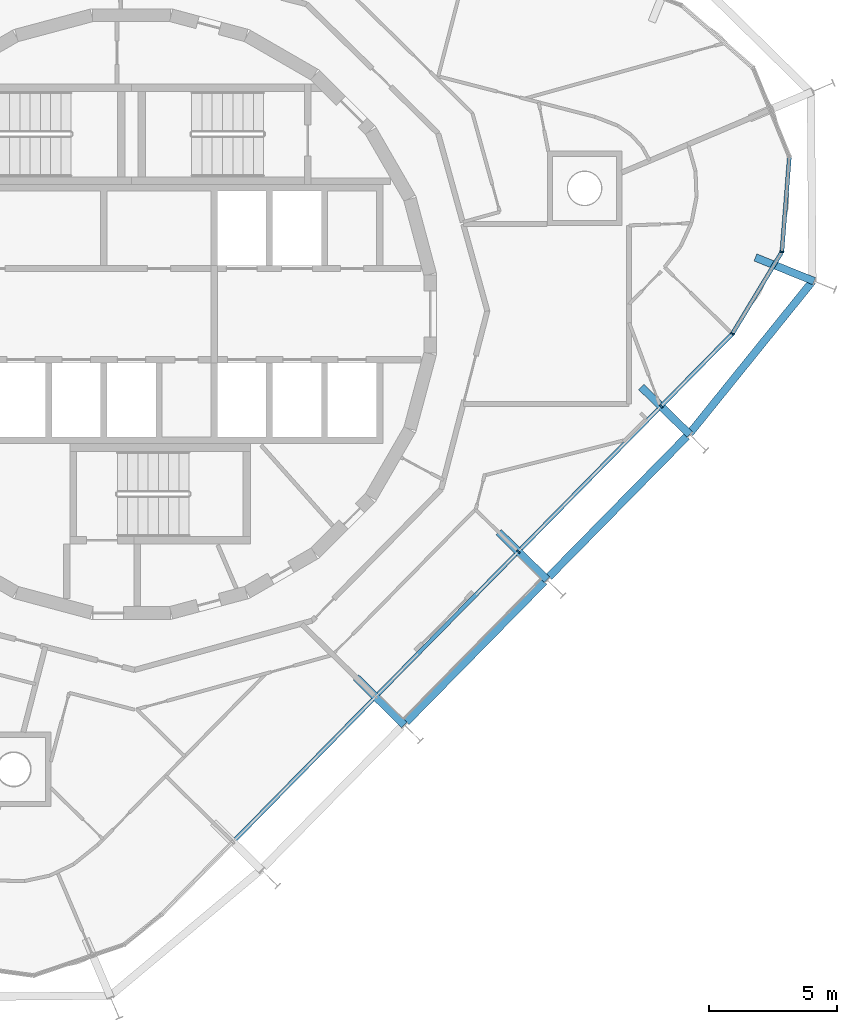
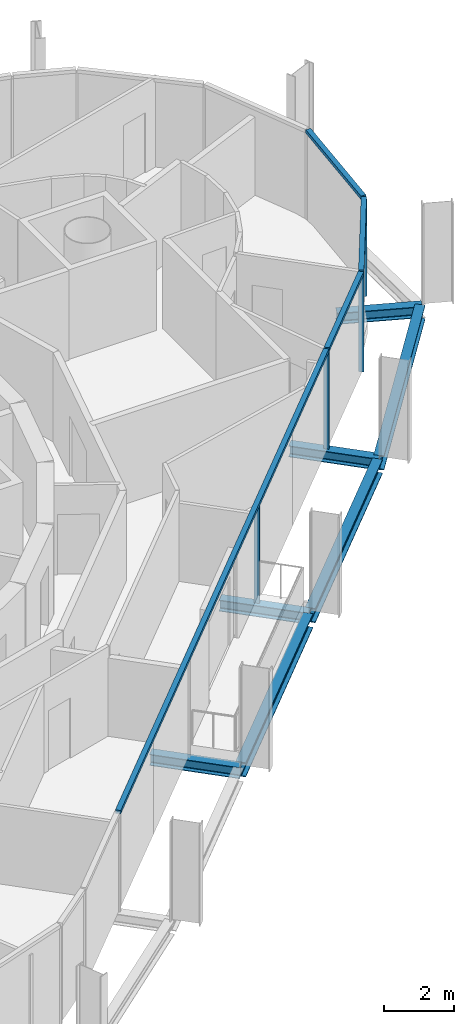
# One storey, part 4 of 16: 8 members, 7 beams, 2 elements without a shape of their own.
"""IFC4 building model written with IfcOpenShell, lengths in metres."""

from ifc_helpers import new_model, si_unit, direction, frame, origin, origin_2d, place, context, subcontext, project, spatial, rectangle, i_section, extrude, material, layer, layer_set, material_profile, profile_set, type_object, element, aggregate, save


model = new_model("IFC4")

# Units and contexts
model_context = context("Model", 3, precision=1e-05, world=origin(), true_north=direction((0.0, 1.0)))
body_context = subcontext(model_context, "Body", "Model", "MODEL_VIEW")
ifc_project = project(units=[si_unit("LENGTHUNIT", "METRE"), si_unit("AREAUNIT", "SQUARE_METRE"), si_unit("VOLUMEUNIT", "CUBIC_METRE"), si_unit("PLANEANGLEUNIT", "RADIAN"), si_unit("MASSUNIT", "GRAM", prefix="KILO")], contexts=[model_context])

# Site, building, storey
site_placement = place(None, origin())
site = spatial("IfcSite", under=ifc_project, at=site_placement, CompositionType="ELEMENT")
building_placement = place(site_placement, origin())
building = spatial("IfcBuilding", under=site, at=building_placement, Name="Spindle Arch Residences", CompositionType="ELEMENT")
storey_placement = place(building_placement, frame((0.0, 0.0, 301.699951171875)))
storey = spatial("IfcBuildingStorey", under=building, at=storey_placement, Name="L77", CompositionType="ELEMENT", Elevation=301.699951171875)

# Curtain wall, members
ifc_material_1 = material(Name="Aluminium bronze unitised frame with tinted glass", Category="aluminium")
ifc_layer_1 = layer(ifc_material_1, 0.159912109375)
ifc_layer_set_1 = layer_set([ifc_layer_1], Name="CW-D corner wall on the fillet arcs")
curtain_wall_type_1 = type_object("IfcCurtainWallType", Name="CW-D corner wall on the fillet arcs", PredefinedType="NOTDEFINED", material=ifc_layer_set_1)
curtain_wall_1_placement = place(storey_placement, origin())
curtain_wall_1 = element("IfcCurtainWall", 1, at=curtain_wall_1_placement, inside=storey, type_object=curtain_wall_type_1, Name="CW-D L77 run 1", PredefinedType="NOTDEFINED")
ifc_material_2 = material(Name="Aluminium bronze anodised mullion", Category="aluminium")
ifc_material_profile_1 = material_profile(ifc_material_2, rectangle(XDim=0.159912109375, YDim=0.06005859375, at=origin_2d()), Name="MU 60x160")
ifc_profile_set_1 = profile_set([ifc_material_profile_1], Name="Aluminium bronze anodised mullion")
member_type_1 = type_object("IfcMemberType", Name="Bronze mullion 60x160", PredefinedType="MULLION", material=ifc_profile_set_1)
member_1_placement = place(storey_placement, frame((20.642333984375, -3.597412109375, -0.3798828125), z_axis=(0.0, 0.0, 1.0), x_axis=(-0.713250449154, 0.7009092643, 0.0)))
member_1 = element("IfcMember", 2, at=member_1_placement, type_object=member_type_1, Name="CW-D mullion 00", PredefinedType="MULLION", context=body_context, shape_type="SweptSolid", body=[
    extrude(rectangle(XDim=0.159912109375, YDim=0.06005859375, at=origin_2d()), origin(), (0.0, 0.0, 1.0), 3.3798828125),
])
member_2_placement = place(storey_placement, frame((23.42578125, -0.76513671875, -0.3798828125), z_axis=(0.0, 0.0, 1.0), x_axis=(-0.855665492936, 0.517529288252, 0.0)))
member_2 = element("IfcMember", 3, at=member_2_placement, type_object=member_type_1, Name="CW-D mullion 01", PredefinedType="MULLION", context=body_context, shape_type="SweptSolid", body=[
    extrude(rectangle(XDim=0.159912109375, YDim=0.06005859375, at=origin_2d()), origin(), (0.0, 0.0, 1.0), 3.3798828125),
])
member_3_placement = place(storey_placement, frame((25.3544921875, 2.423828125, -0.3798828125), z_axis=(0.0, 0.0, 1.0), x_axis=(-0.996917334032, 0.078459091935, 0.0)))
member_3 = element("IfcMember", 4, at=member_3_placement, type_object=member_type_1, Name="CW-D mullion 02", PredefinedType="MULLION", context=body_context, shape_type="SweptSolid", body=[
    extrude(rectangle(XDim=0.159912109375, YDim=0.06005859375, at=origin_2d()), origin(), (0.0, 0.0, 1.0), 3.3798828125),
])

# Curtain wall, member
ifc_material_3 = material(Name="Aluminium bronze unitised frame with tinted glass", Category="aluminium")
ifc_layer_2 = layer(ifc_material_3, 0.159912109375)
ifc_layer_set_2 = layer_set([ifc_layer_2], Name="CW-C typical residential unitised wall")
curtain_wall_type_2 = type_object("IfcCurtainWallType", Name="CW-C typical residential unitised wall", PredefinedType="NOTDEFINED", material=ifc_layer_set_2)
curtain_wall_2_placement = place(storey_placement, origin())
curtain_wall_2 = element("IfcCurtainWall", 5, at=curtain_wall_2_placement, inside=storey, type_object=curtain_wall_type_2, Name="CW-C L77 run 6", PredefinedType="NOTDEFINED")
member_4_placement = place(storey_placement, frame((15.08056640625, -9.257080078125, -0.3798828125), z_axis=(0.0, 0.0, 1.0), x_axis=(-0.713250449154, 0.7009092643, 0.0)))
member_4 = element("IfcMember", 6, at=member_4_placement, type_object=member_type_1, Name="CW-C mullion 00", PredefinedType="MULLION", context=body_context, shape_type="SweptSolid", body=[
    extrude(rectangle(XDim=0.159912109375, YDim=0.06005859375, at=origin_2d()), origin(), (0.0, 0.0, 1.0), 3.3798828125),
])

# Member
ifc_material_4 = material(Name="Aluminium bronze anodised transom", Category="aluminium")
ifc_material_profile_2 = material_profile(ifc_material_4, rectangle(XDim=0.159912109375, YDim=0.1201171875, at=origin_2d()), Name="TR 120x160")
ifc_profile_set_2 = profile_set([ifc_material_profile_2], Name="Aluminium bronze anodised transom")
member_type_2 = type_object("IfcMemberType", Name="Bronze transom 120x160", PredefinedType="USERDEFINED", material=ifc_profile_set_2)
member_5_placement = place(storey_placement, frame((20.663330078125, -3.575927734375, 3.06005859375), z_axis=(0.70089977121, 0.713259777863, 0.0), x_axis=(-0.713259777863, 0.70089977121, 0.0)))
member_5 = element("IfcMember", 7, at=member_5_placement, type_object=member_type_2, Name="CW-D transom 00", ObjectType="TRANSOM", PredefinedType="USERDEFINED", context=body_context, shape_type="SweptSolid", body=[
    extrude(rectangle(XDim=0.159912109375, YDim=0.1201171875, at=origin_2d()), origin(), (0.0, 0.0, 1.0), 3.910888671875),
])

member_6_placement = place(storey_placement, frame((23.441162109375, -0.739501953125, 3.06005859375), z_axis=(0.517517977751, 0.855672333726, 0.0), x_axis=(-0.855672333726, 0.517517977751, 0.0)))
member_6 = element("IfcMember", 8, at=member_6_placement, type_object=member_type_2, Name="CW-D transom 01", ObjectType="TRANSOM", PredefinedType="USERDEFINED", context=body_context, shape_type="SweptSolid", body=[
    extrude(rectangle(XDim=0.159912109375, YDim=0.1201171875, at=origin_2d()), origin(), (0.0, 0.0, 1.0), 3.6669921875),
])

member_7_placement = place(storey_placement, frame((25.356689453125, 2.45361328125, 3.06005859375), z_axis=(0.078498754798, 0.996914211703, 0.0), x_axis=(-0.996914211703, 0.078498754798, 0.0)))
member_7 = element("IfcMember", 9, at=member_7_placement, type_object=member_type_2, Name="CW-D transom 02", ObjectType="TRANSOM", PredefinedType="USERDEFINED", context=body_context, shape_type="SweptSolid", body=[
    extrude(rectangle(XDim=0.159912109375, YDim=0.1201171875, at=origin_2d()), origin(), (0.0, 0.0, 1.0), 3.666748046875),
])

aggregate(curtain_wall_1, [member_1, member_5, member_2, member_6, member_3, member_7])

member_8_placement = place(storey_placement, frame((3.97802734375, -20.55517578125, 3.06005859375), z_axis=(0.700905736119, 0.71325391627, 0.0), x_axis=(-0.71325391627, 0.700905736119, 0.0)))
member_8 = element("IfcMember", 10, at=member_8_placement, type_object=member_type_2, Name="CW-C transom 00", ObjectType="TRANSOM", PredefinedType="USERDEFINED", context=body_context, shape_type="SweptSolid", body=[
    extrude(rectangle(XDim=0.159912109375, YDim=0.1201171875, at=origin_2d()), origin(), (0.0, 0.0, 1.0), 23.745361328125),
])

aggregate(curtain_wall_2, [member_8, member_4])

# Beams
ifc_material_5 = material(Name="Steel S460ML, intumescent coating R 120", Category="steel")
ifc_material_profile_3 = material_profile(ifc_material_5, i_section(OverallWidth=0.300048828125, OverallDepth=0.5, WebThickness=0.014404296875, FlangeThickness=0.028076171875, FilletRadius=0.027099609375, at=origin_2d()), Name="HEB 500")
ifc_profile_set_3 = profile_set([ifc_material_profile_3], Name="Steel S460ML, intumescent coating R 120")
beam_type_1 = type_object("IfcBeamType", Name="Exoskeleton edge beam HEB 500", PredefinedType="BEAM", material=ifc_profile_set_3)
beam_1_placement = place(storey_placement, frame((16.270263671875, -10.24365234375, -0.6298828125), z_axis=(0.700908648812, 0.713251053992, 0.0), x_axis=(-0.713251053992, 0.700908648812, 0.0)))
element("IfcBeam", 11, at=beam_1_placement, inside=storey, type_object=beam_type_1, Name="Exoskeleton edge beam 1", PredefinedType="BEAM", context=body_context, shape_type="SweptSolid", body=[
    extrude(i_section(OverallWidth=0.300048828125, OverallDepth=0.5, WebThickness=0.014404296875, FlangeThickness=0.028076171875, FilletRadius=0.027099609375, at=origin_2d()), origin(), (0.0, 0.0, 1.0), 7.6748046875),
])
beam_2_placement = place(storey_placement, frame((21.763427734375, -4.648681640625, -0.6298828125), z_axis=(0.627986894279, 0.778223914188, 0.0), x_axis=(-0.778223914188, 0.627986894279, 0.0)))
element("IfcBeam", 12, at=beam_2_placement, inside=storey, type_object=beam_type_1, Name="Exoskeleton edge beam 2", PredefinedType="BEAM", context=body_context, shape_type="SweptSolid", body=[
    extrude(i_section(OverallWidth=0.300048828125, OverallDepth=0.5, WebThickness=0.014404296875, FlangeThickness=0.028076171875, FilletRadius=0.027099609375, at=origin_2d()), origin(), (0.0, 0.0, 1.0), 7.611572265625),
])
beam_3_placement = place(storey_placement, frame((10.70849609375, -15.9033203125, -0.6298828125), z_axis=(0.700908648812, 0.713251053992, 0.0), x_axis=(-0.713251053992, 0.700908648812, 0.0)))
element("IfcBeam", 13, at=beam_3_placement, inside=storey, type_object=beam_type_1, Name="Exoskeleton edge beam 20", PredefinedType="BEAM", context=body_context, shape_type="SweptSolid", body=[
    extrude(i_section(OverallWidth=0.300048828125, OverallDepth=0.5, WebThickness=0.014404296875, FlangeThickness=0.028076171875, FilletRadius=0.027099609375, at=origin_2d()), origin(), (0.0, 0.0, 1.0), 7.6748046875),
])
ifc_material_6 = material(Name="Steel S460ML, intumescent coating R 120", Category="steel")
ifc_material_profile_4 = material_profile(ifc_material_6, i_section(OverallWidth=0.300048828125, OverallDepth=0.389892578125, WebThickness=0.010986328125, FlangeThickness=0.01904296875, FilletRadius=0.027099609375, at=origin_2d()), Name="HEA 400")
ifc_profile_set_4 = profile_set([ifc_material_profile_4], Name="Steel S460ML, intumescent coating R 120")
beam_type_2 = type_object("IfcBeamType", Name="Floor outrigger HEA 400", PredefinedType="BEAM", material=ifc_profile_set_4)
for number, where, z_axis, x_axis, name in (
    (14, (16.200439453125, -10.357421875, -0.574951171875), (-0.713252393258, 0.70090728596, 0.0), (-0.70090728596, -0.713252393258, 0.0), "Floor outrigger 1"),
    (15, (21.76220703125, -4.69775390625, -0.574951171875), (-0.713252393258, 0.70090728596, 0.0), (-0.70090728596, -0.713252393258, 0.0), "Floor outrigger 2"),
):
    element("IfcBeam", number, at=place(storey_placement, frame(where, z_axis=z_axis, x_axis=x_axis)), inside=storey, type_object=beam_type_2, Name=name, PredefinedType="BEAM", context=body_context, shape_type="SweptSolid", body=[
        extrude(i_section(OverallWidth=0.300048828125, OverallDepth=0.389892578125, WebThickness=0.010986328125, FlangeThickness=0.01904296875, FilletRadius=0.027099609375, at=origin_2d()), origin(), (0.0, 0.0, 1.0), 2.650146484375),
    ])
beam_4_placement = place(storey_placement, frame((26.609130859375, 1.281494140625, -0.574951171875), z_axis=(-0.927112260651, 0.374783745846, 0.0), x_axis=(-0.374783745846, -0.927112260651, 0.0)))
element("IfcBeam", 16, at=beam_4_placement, inside=storey, type_object=beam_type_2, Name="Floor outrigger 3", PredefinedType="BEAM", context=body_context, shape_type="SweptSolid", body=[
    extrude(i_section(OverallWidth=0.300048828125, OverallDepth=0.389892578125, WebThickness=0.010986328125, FlangeThickness=0.01904296875, FilletRadius=0.027099609375, at=origin_2d()), origin(), (0.0, 0.0, 1.0), 2.466796875),
])
beam_5_placement = place(storey_placement, frame((10.638671875, -16.01708984375, -0.574951171875), z_axis=(-0.713298451505, 0.700860413407, 0.0), x_axis=(-0.700860413407, -0.713298451505, 0.0)))
element("IfcBeam", 17, at=beam_5_placement, inside=storey, type_object=beam_type_2, Name="Floor outrigger 20", PredefinedType="BEAM", context=body_context, shape_type="SweptSolid", body=[
    extrude(i_section(OverallWidth=0.300048828125, OverallDepth=0.389892578125, WebThickness=0.010986328125, FlangeThickness=0.01904296875, FilletRadius=0.027099609375, at=origin_2d()), origin(), (0.0, 0.0, 1.0), 2.64990234375),
])

save(model, "model.ifc")
